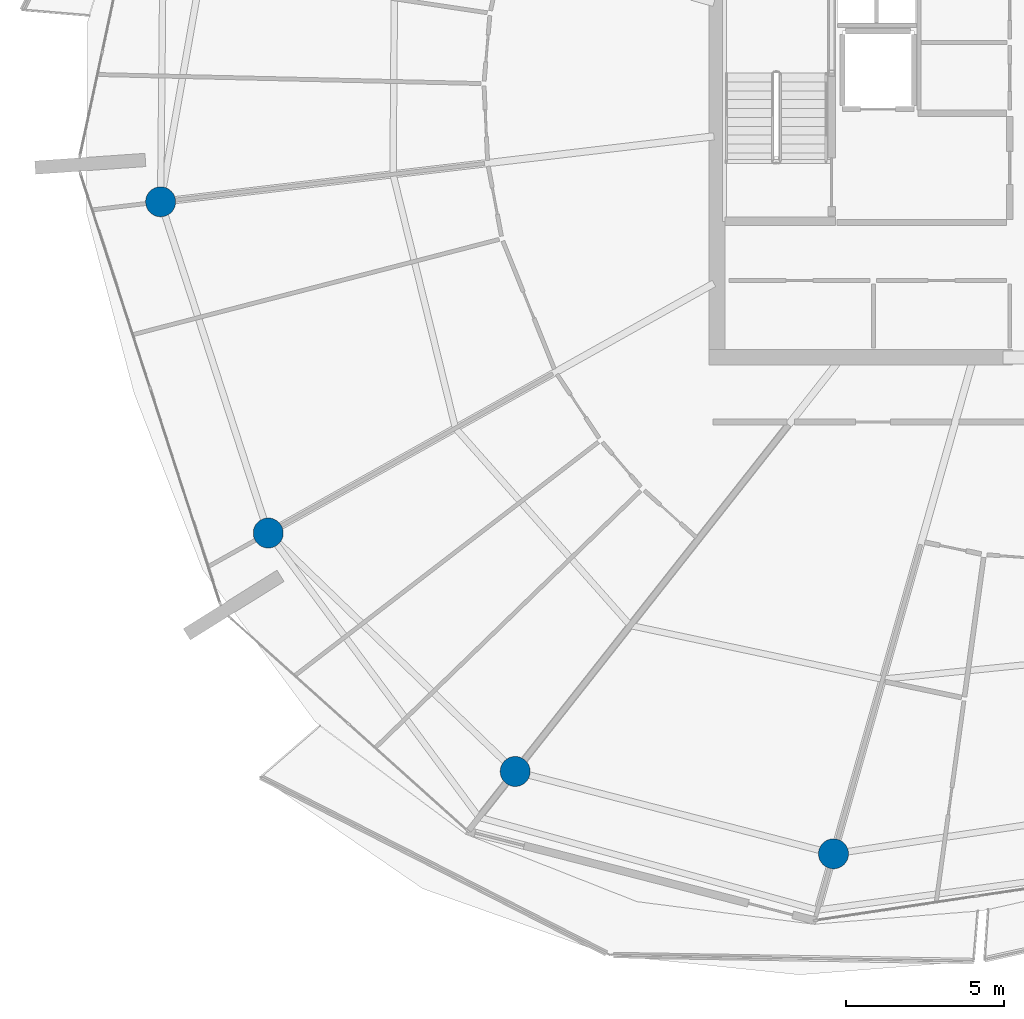
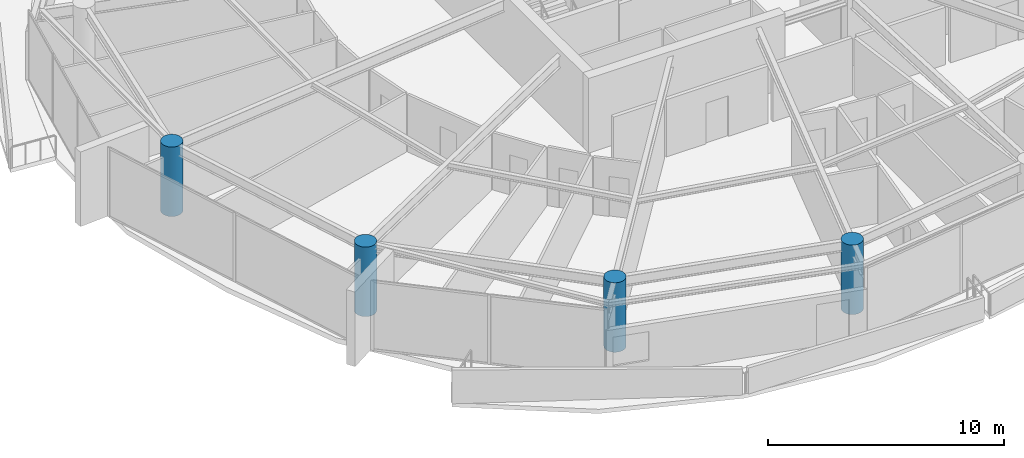
# One storey, part 1 of 29: 4 columns.
"""IFC4 building model written with IfcOpenShell, lengths in metres."""

from ifc_helpers import new_model, si_unit, direction, frame, origin, origin_2d, place, context, subcontext, project, spatial, circle, extrude, material, material_profile, profile_set, type_object, element, save


model = new_model("IFC4")

# Units and contexts
model_context = context("Model", 3, precision=1e-05, world=origin(), true_north=direction((0.0, 1.0)))
body_context = subcontext(model_context, "Body", "Model", "MODEL_VIEW")
ifc_project = project(units=[si_unit("LENGTHUNIT", "METRE"), si_unit("AREAUNIT", "SQUARE_METRE"), si_unit("VOLUMEUNIT", "CUBIC_METRE"), si_unit("PLANEANGLEUNIT", "RADIAN"), si_unit("MASSUNIT", "GRAM", prefix="KILO")], contexts=[model_context])

# Site, building, storey
site_placement = place(None, origin())
site = spatial("IfcSite", under=ifc_project, at=site_placement, CompositionType="ELEMENT")
building_placement = place(site_placement, origin())
building = spatial("IfcBuilding", under=site, at=building_placement, Name="Kazma Halo Residences", CompositionType="ELEMENT")
storey_placement = place(building_placement, frame((0.0, 0.0, 282.89990234375)))
storey = spatial("IfcBuildingStorey", under=building, at=storey_placement, Name="L71", CompositionType="ELEMENT", Elevation=282.89990234375)

# Columns
ifc_material = material(Name="Concrete C60/75", Category="concrete")
ifc_material_profile = material_profile(ifc_material, circle(Radius=0.47509765625, at=origin_2d()), Name="CIRC950")
ifc_profile_set = profile_set([ifc_material_profile], Name="Concrete C60/75")
column_type = type_object("IfcColumnType", Name="COL-PERIM-950", PredefinedType="COLUMN", material=ifc_profile_set)
for number, where, z_axis, x_axis, name in (
    (1, (19.92041015625, 38.676513671875, 0.0), (0.0, 0.0, 1.0), (1.0, 0.0, 0.0), "L71 perimeter ring column P08"),
    (2, (23.32958984375, 28.18408203125, 0.0), (0.0, 0.0, 1.0), (1.0, 0.0, 0.0), "L71 perimeter ring column P09"),
    (3, (31.15283203125, 20.62939453125, 0.0), (0.0, 0.0, 1.0), (1.0, 0.0, 0.0), "L71 perimeter ring column P10"),
    (4, (41.237060546875, 18.0205078125, 0.0), (0.0, 0.0, 1.0), (1.0, 0.0, 0.0), "L71 perimeter ring column P11"),
):
    element("IfcColumn", number, at=place(storey_placement, frame(where, z_axis=z_axis, x_axis=x_axis)), inside=storey, type_object=column_type, Name=name, PredefinedType="COLUMN", context=body_context, shape_type="SweptSolid", body=[
        extrude(circle(Radius=0.47509765625, at=origin_2d()), origin(), (0.0, 0.0, 1.0), 3.590087890625),
    ])

save(model, "model.ifc")
